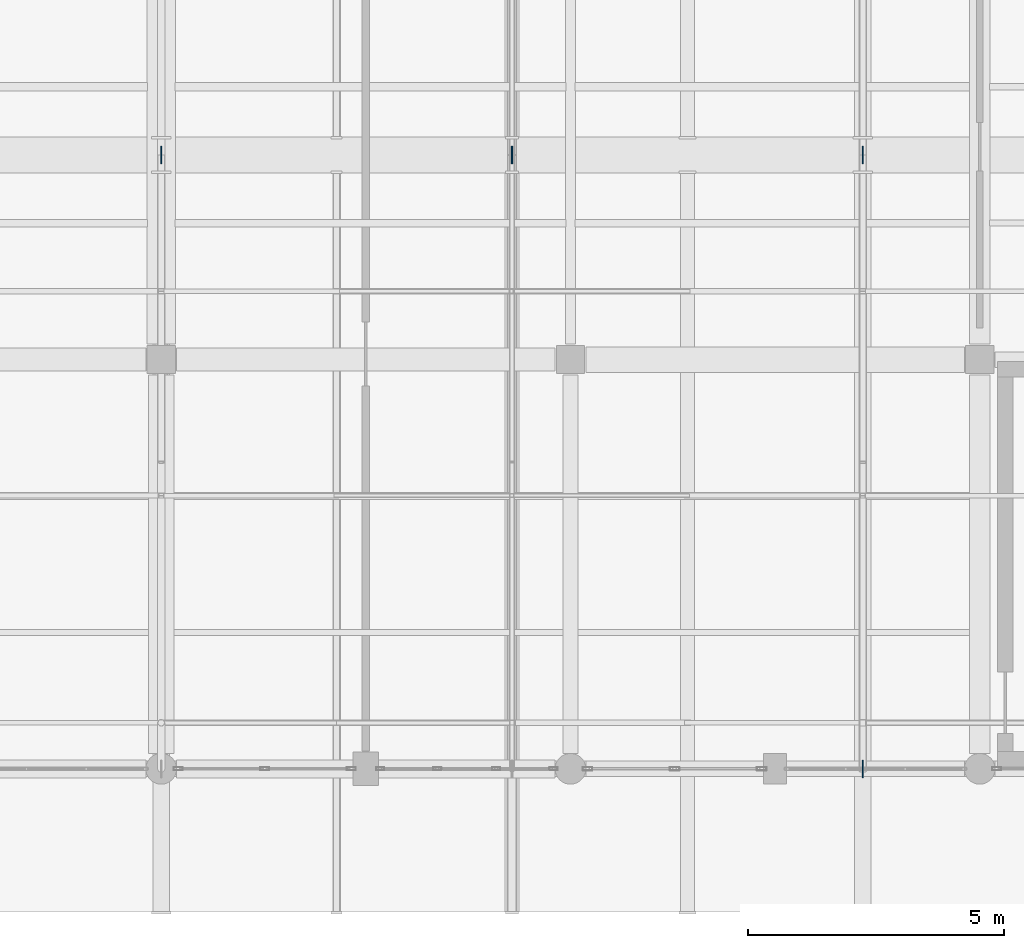
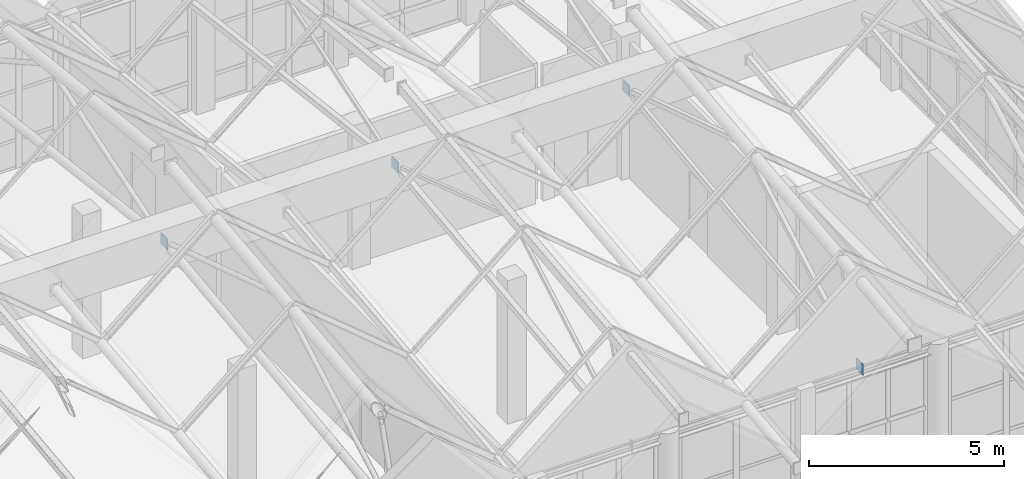
# One storey, part 137 of 183: 4 plates.
"""IFC4 building model written with IfcOpenShell, lengths in metres."""

from ifc_helpers import new_model, si_unit, direction, frame, origin, origin_2d, place, context, subcontext, project, spatial, rectangle, extrude, material, layer, layer_set, type_object, element, save


model = new_model("IFC4")

# Units and contexts
model_context = context("Model", 3, precision=1e-05, world=origin(), true_north=direction((0.0, 1.0)))
body_context = subcontext(model_context, "Body", "Model", "MODEL_VIEW")
ifc_project = project(units=[si_unit("LENGTHUNIT", "METRE"), si_unit("AREAUNIT", "SQUARE_METRE"), si_unit("VOLUMEUNIT", "CUBIC_METRE"), si_unit("PLANEANGLEUNIT", "RADIAN"), si_unit("MASSUNIT", "GRAM", prefix="KILO")], contexts=[model_context])

# Site, building, storey
site_placement = place(None, origin())
site = spatial("IfcSite", under=ifc_project, at=site_placement, CompositionType="ELEMENT")
building_placement = place(site_placement, origin())
building = spatial("IfcBuilding", under=site, at=building_placement, Name="Luwemba Playhouse", CompositionType="ELEMENT")
storey_placement = place(building_placement, frame((0.0, 0.0, 4.800048828125)))
storey = spatial("IfcBuildingStorey", under=building, at=storey_placement, Name="L01", CompositionType="ELEMENT", Elevation=4.800048828125)

# Plates
ifc_material = material(Name="Steel S355", Category="steel")
ifc_layer_1 = layer(ifc_material, 0.02001953125)
ifc_layer_set_1 = layer_set([ifc_layer_1], Name="Steel S355")
plate_type_1 = type_object("IfcPlateType", Name="PLT-GP2", PredefinedType="USERDEFINED", material=ifc_layer_set_1)
plate_placement = place(storey_placement, frame((161.71435546875, 3.0, 4.22998046875), z_axis=(0.0, 0.0, 1.0), x_axis=(1.0, 0.0, 0.0)))
element("IfcPlate", 1, at=plate_placement, inside=storey, type_object=plate_type_1, Name="Truss node gusset cap plate 0148", ObjectType="GUSSET PLATE", PredefinedType="USERDEFINED", context=body_context, shape_type="SweptSolid", body=[
    extrude(rectangle(XDim=0.02001953125, YDim=0.340087890625, at=origin_2d()), origin(), (0.0, 0.0, 1.0), 0.340087890625),
])
ifc_layer_2 = layer(ifc_material, 0.02490234375)
ifc_layer_set_2 = layer_set([ifc_layer_2], Name="Steel S355")
plate_type_2 = type_object("IfcPlateType", Name="PLT-GP3", PredefinedType="USERDEFINED", material=ifc_layer_set_2)
for number, where, z_axis, x_axis, name in (
    (2, (148.0, 15.0, 5.69384765625), (0.0, 0.0, 1.0), (1.0, 0.0, 0.0), "Truss node gusset cap plate 0143"),
    (3, (154.857177734375, 15.0, 5.69384765625), (0.0, 0.0, 1.0), (1.0, 0.0, 0.0), "Truss node gusset cap plate 0146"),
    (4, (161.71435546875, 15.0, 5.69384765625), (0.0, 0.0, 1.0), (1.0, 0.0, 0.0), "Truss node gusset cap plate 0149"),
):
    element("IfcPlate", number, at=place(storey_placement, frame(where, z_axis=z_axis, x_axis=x_axis)), inside=storey, type_object=plate_type_2, Name=name, ObjectType="GUSSET PLATE", PredefinedType="USERDEFINED", context=body_context, shape_type="SweptSolid", body=[
        extrude(rectangle(XDim=0.02490234375, YDim=0.340087890625, at=origin_2d()), origin(), (0.0, 0.0, 1.0), 0.340087890625),
    ])

save(model, "model.ifc")
